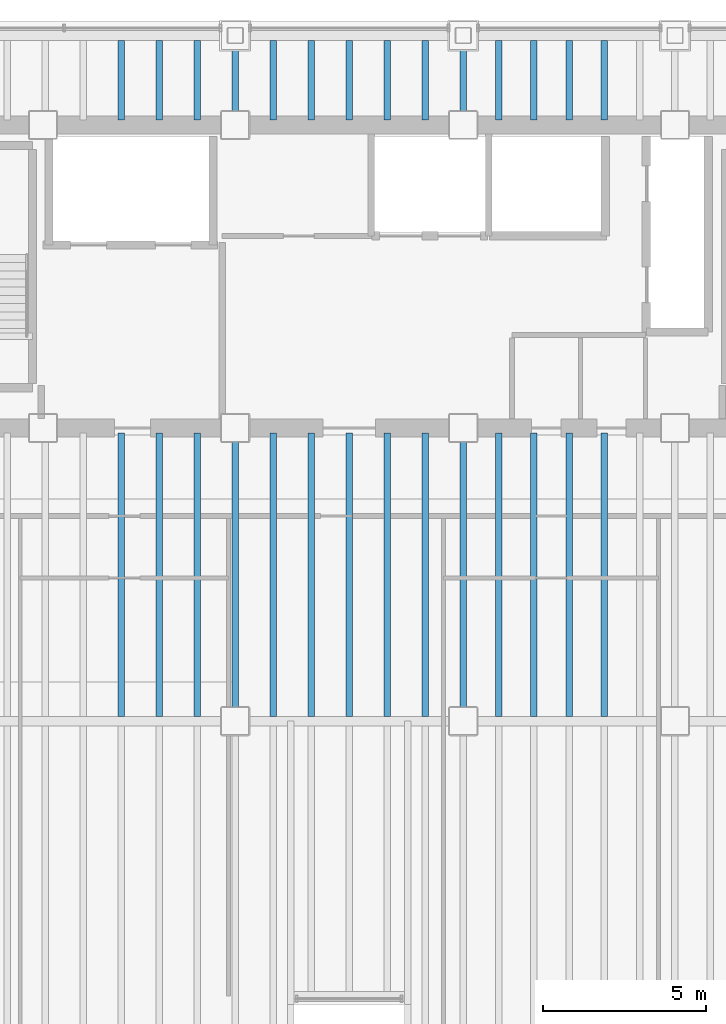
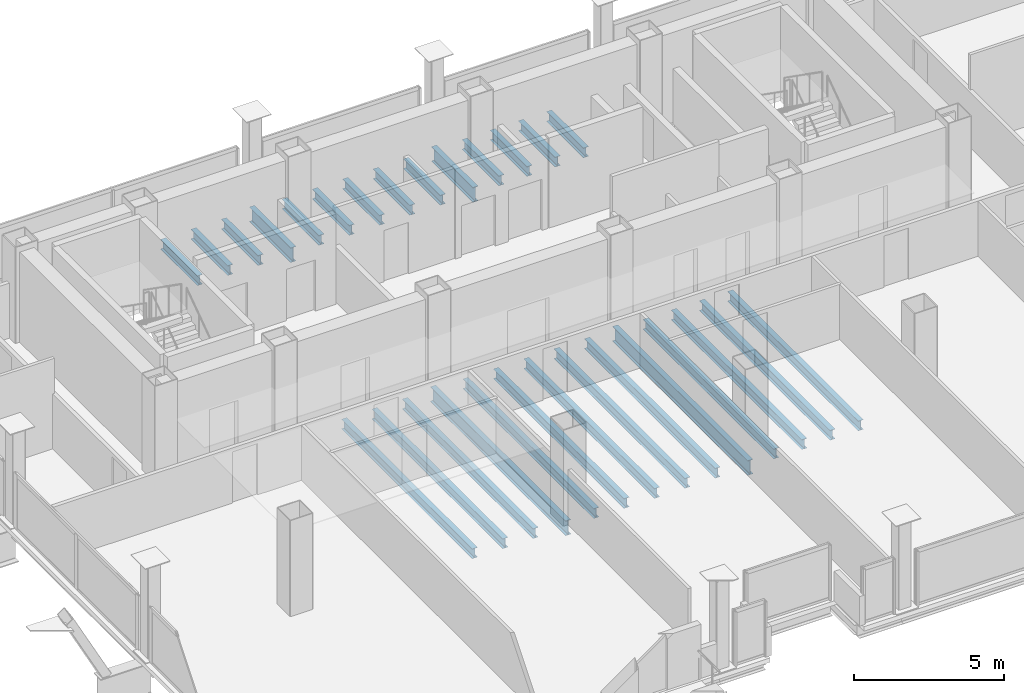
# One storey, part 8 of 21: 28 beams.
"""IFC4 building model written with IfcOpenShell, lengths in metres."""

from ifc_helpers import new_model, si_unit, direction, frame, origin, origin_2d, place, context, subcontext, project, spatial, i_section, extrude, material, material_profile, profile_set, type_object, element, save


model = new_model("IFC4")

# Units and contexts
model_context = context("Model", 3, precision=1e-05, world=origin(), true_north=direction((0.0, 1.0)))
body_context = subcontext(model_context, "Body", "Model", "MODEL_VIEW")
ifc_project = project(units=[si_unit("LENGTHUNIT", "METRE"), si_unit("AREAUNIT", "SQUARE_METRE"), si_unit("VOLUMEUNIT", "CUBIC_METRE"), si_unit("PLANEANGLEUNIT", "RADIAN"), si_unit("MASSUNIT", "GRAM", prefix="KILO")], contexts=[model_context])

# Site, building, storey
site_placement = place(None, origin())
site = spatial("IfcSite", under=ifc_project, at=site_placement, CompositionType="ELEMENT")
building_placement = place(site_placement, origin())
building = spatial("IfcBuilding", under=site, at=building_placement, Name="Noeulbin Bourse Tower", CompositionType="ELEMENT")
storey_placement = place(building_placement, frame((0.0, 0.0, 111.0)))
storey = spatial("IfcBuildingStorey", under=building, at=storey_placement, Name="L27", CompositionType="ELEMENT", Elevation=111.0)

# Beams
ifc_material = material(Name="Steel S355", Category="steel")
ifc_material_profile_1 = material_profile(ifc_material, i_section(OverallWidth=0.199951171875, OverallDepth=0.60009765625, WebThickness=0.010986328125, FlangeThickness=0.01708984375, FilletRadius=0.02197265625, at=origin_2d()), Name="H-600x200x11x17", Category="LoadBearing")
ifc_profile_set_1 = profile_set([ifc_material_profile_1], Name="Steel S355")
beam_type_1 = type_object("IfcBeamType", Name="BM-GRD-600", PredefinedType="USERDEFINED", material=ifc_profile_set_1)
beam_1_placement = place(storey_placement, frame((24.0, 20.0, -0.47998046875), z_axis=(0.0, 1.0, 0.0), x_axis=(-1.0, 0.0, 0.0)))
element("IfcBeam", 1, at=beam_1_placement, inside=storey, type_object=beam_type_1, Name="Tower Primary Girder NS L27-2.2", ObjectType="GIRDER", PredefinedType="USERDEFINED", context=body_context, shape_type="SweptSolid", body=[
    extrude(i_section(OverallWidth=0.199951171875, OverallDepth=0.60009765625, WebThickness=0.010986328125, FlangeThickness=0.01708984375, FilletRadius=0.02197265625, at=origin_2d()), origin(), (0.0, 0.0, 1.0), 9.0),
])
beam_2_placement = place(storey_placement, frame((24.0, 38.300048828125, -0.47998046875), z_axis=(0.0, 1.0, 0.0), x_axis=(-1.0, 0.0, 0.0)))
element("IfcBeam", 2, at=beam_2_placement, inside=storey, type_object=beam_type_1, Name="Tower Primary Girder NS L27-2.4", ObjectType="GIRDER", PredefinedType="USERDEFINED", context=body_context, shape_type="SweptSolid", body=[
    extrude(i_section(OverallWidth=0.199951171875, OverallDepth=0.60009765625, WebThickness=0.010986328125, FlangeThickness=0.01708984375, FilletRadius=0.02197265625, at=origin_2d()), origin(), (0.0, 0.0, 1.0), 2.75),
])
beam_3_placement = place(storey_placement, frame((31.0, 20.0, -0.47998046875), z_axis=(0.0, 1.0, 0.0), x_axis=(-1.0, 0.0, 0.0)))
element("IfcBeam", 3, at=beam_3_placement, inside=storey, type_object=beam_type_1, Name="Tower Primary Girder NS L27-3.2", ObjectType="GIRDER", PredefinedType="USERDEFINED", context=body_context, shape_type="SweptSolid", body=[
    extrude(i_section(OverallWidth=0.199951171875, OverallDepth=0.60009765625, WebThickness=0.010986328125, FlangeThickness=0.01708984375, FilletRadius=0.02197265625, at=origin_2d()), origin(), (0.0, 0.0, 1.0), 9.0),
])
beam_4_placement = place(storey_placement, frame((31.0, 38.300048828125, -0.47998046875), z_axis=(0.0, 1.0, 0.0), x_axis=(-1.0, 0.0, 0.0)))
element("IfcBeam", 4, at=beam_4_placement, inside=storey, type_object=beam_type_1, Name="Tower Primary Girder NS L27-3.4", ObjectType="GIRDER", PredefinedType="USERDEFINED", context=body_context, shape_type="SweptSolid", body=[
    extrude(i_section(OverallWidth=0.199951171875, OverallDepth=0.60009765625, WebThickness=0.010986328125, FlangeThickness=0.01708984375, FilletRadius=0.02197265625, at=origin_2d()), origin(), (0.0, 0.0, 1.0), 2.75),
])
ifc_material_profile_2 = material_profile(ifc_material, i_section(OverallWidth=0.199951171875, OverallDepth=0.39990234375, WebThickness=0.008056640625, FlangeThickness=0.012939453125, FilletRadius=0.01611328125, at=origin_2d()), Name="H-400x200x8x13", Category="LoadBearing")
ifc_profile_set_2 = profile_set([ifc_material_profile_2], Name="Steel S355")
beam_type_2 = type_object("IfcBeamType", Name="BM-SEC-400", PredefinedType="BEAM", material=ifc_profile_set_2)
beam_5_placement = place(storey_placement, frame((20.5, 20.14990234375, -0.3798828125), z_axis=(0.0, 1.0, 0.0), x_axis=(-1.0, 0.0, 0.0)))
element("IfcBeam", 5, at=beam_5_placement, inside=storey, type_object=beam_type_2, Name="Tower Composite Joist L27-17", PredefinedType="BEAM", context=body_context, shape_type="SweptSolid", body=[
    extrude(i_section(OverallWidth=0.199951171875, OverallDepth=0.39990234375, WebThickness=0.008056640625, FlangeThickness=0.012939453125, FilletRadius=0.01611328125, at=origin_2d()), origin(), (0.0, 0.0, 1.0), 8.7001953125),
])
beam_6_placement = place(storey_placement, frame((20.5, 38.449951171875, -0.3798828125), z_axis=(0.0, 1.0, 0.0), x_axis=(-1.0, 0.0, 0.0)))
element("IfcBeam", 6, at=beam_6_placement, inside=storey, type_object=beam_type_2, Name="Tower Composite Joist L27-18", PredefinedType="BEAM", context=body_context, shape_type="SweptSolid", body=[
    extrude(i_section(OverallWidth=0.199951171875, OverallDepth=0.39990234375, WebThickness=0.008056640625, FlangeThickness=0.012939453125, FilletRadius=0.01611328125, at=origin_2d()), origin(), (0.0, 0.0, 1.0), 2.449951171875),
])
beam_7_placement = place(storey_placement, frame((21.666748046875, 20.14990234375, -0.3798828125), z_axis=(0.0, 1.0, 0.0), x_axis=(-1.0, 0.0, 0.0)))
element("IfcBeam", 7, at=beam_7_placement, inside=storey, type_object=beam_type_2, Name="Tower Composite Joist L27-20", PredefinedType="BEAM", context=body_context, shape_type="SweptSolid", body=[
    extrude(i_section(OverallWidth=0.199951171875, OverallDepth=0.39990234375, WebThickness=0.008056640625, FlangeThickness=0.012939453125, FilletRadius=0.01611328125, at=origin_2d()), origin(), (0.0, 0.0, 1.0), 8.7001953125),
])
beam_8_placement = place(storey_placement, frame((21.666748046875, 38.449951171875, -0.3798828125), z_axis=(0.0, 1.0, 0.0), x_axis=(-1.0, 0.0, 0.0)))
element("IfcBeam", 8, at=beam_8_placement, inside=storey, type_object=beam_type_2, Name="Tower Composite Joist L27-21", PredefinedType="BEAM", context=body_context, shape_type="SweptSolid", body=[
    extrude(i_section(OverallWidth=0.199951171875, OverallDepth=0.39990234375, WebThickness=0.008056640625, FlangeThickness=0.012939453125, FilletRadius=0.01611328125, at=origin_2d()), origin(), (0.0, 0.0, 1.0), 2.449951171875),
])
beam_9_placement = place(storey_placement, frame((22.833251953125, 20.14990234375, -0.3798828125), z_axis=(0.0, 1.0, 0.0), x_axis=(-1.0, 0.0, 0.0)))
element("IfcBeam", 9, at=beam_9_placement, inside=storey, type_object=beam_type_2, Name="Tower Composite Joist L27-23", PredefinedType="BEAM", context=body_context, shape_type="SweptSolid", body=[
    extrude(i_section(OverallWidth=0.199951171875, OverallDepth=0.39990234375, WebThickness=0.008056640625, FlangeThickness=0.012939453125, FilletRadius=0.01611328125, at=origin_2d()), origin(), (0.0, 0.0, 1.0), 8.7001953125),
])
beam_10_placement = place(storey_placement, frame((22.833251953125, 38.449951171875, -0.3798828125), z_axis=(0.0, 1.0, 0.0), x_axis=(-1.0, 0.0, 0.0)))
element("IfcBeam", 10, at=beam_10_placement, inside=storey, type_object=beam_type_2, Name="Tower Composite Joist L27-24", PredefinedType="BEAM", context=body_context, shape_type="SweptSolid", body=[
    extrude(i_section(OverallWidth=0.199951171875, OverallDepth=0.39990234375, WebThickness=0.008056640625, FlangeThickness=0.012939453125, FilletRadius=0.01611328125, at=origin_2d()), origin(), (0.0, 0.0, 1.0), 2.449951171875),
])
beam_11_placement = place(storey_placement, frame((25.166748046875, 20.14990234375, -0.3798828125), z_axis=(0.0, 1.0, 0.0), x_axis=(-1.0, 0.0, 0.0)))
element("IfcBeam", 11, at=beam_11_placement, inside=storey, type_object=beam_type_2, Name="Tower Composite Joist L27-26", PredefinedType="BEAM", context=body_context, shape_type="SweptSolid", body=[
    extrude(i_section(OverallWidth=0.199951171875, OverallDepth=0.39990234375, WebThickness=0.008056640625, FlangeThickness=0.012939453125, FilletRadius=0.01611328125, at=origin_2d()), origin(), (0.0, 0.0, 1.0), 8.7001953125),
])
beam_12_placement = place(storey_placement, frame((25.166748046875, 38.449951171875, -0.3798828125), z_axis=(0.0, 1.0, 0.0), x_axis=(-1.0, 0.0, 0.0)))
element("IfcBeam", 12, at=beam_12_placement, inside=storey, type_object=beam_type_2, Name="Tower Composite Joist L27-27", PredefinedType="BEAM", context=body_context, shape_type="SweptSolid", body=[
    extrude(i_section(OverallWidth=0.199951171875, OverallDepth=0.39990234375, WebThickness=0.008056640625, FlangeThickness=0.012939453125, FilletRadius=0.01611328125, at=origin_2d()), origin(), (0.0, 0.0, 1.0), 2.449951171875),
])
beam_13_placement = place(storey_placement, frame((26.333251953125, 20.14990234375, -0.3798828125), z_axis=(0.0, 1.0, 0.0), x_axis=(-1.0, 0.0, 0.0)))
element("IfcBeam", 13, at=beam_13_placement, inside=storey, type_object=beam_type_2, Name="Tower Composite Joist L27-29", PredefinedType="BEAM", context=body_context, shape_type="SweptSolid", body=[
    extrude(i_section(OverallWidth=0.199951171875, OverallDepth=0.39990234375, WebThickness=0.008056640625, FlangeThickness=0.012939453125, FilletRadius=0.01611328125, at=origin_2d()), origin(), (0.0, 0.0, 1.0), 8.7001953125),
])
beam_14_placement = place(storey_placement, frame((26.333251953125, 38.449951171875, -0.3798828125), z_axis=(0.0, 1.0, 0.0), x_axis=(-1.0, 0.0, 0.0)))
element("IfcBeam", 14, at=beam_14_placement, inside=storey, type_object=beam_type_2, Name="Tower Composite Joist L27-30", PredefinedType="BEAM", context=body_context, shape_type="SweptSolid", body=[
    extrude(i_section(OverallWidth=0.199951171875, OverallDepth=0.39990234375, WebThickness=0.008056640625, FlangeThickness=0.012939453125, FilletRadius=0.01611328125, at=origin_2d()), origin(), (0.0, 0.0, 1.0), 2.449951171875),
])
beam_15_placement = place(storey_placement, frame((27.5, 20.14990234375, -0.3798828125), z_axis=(0.0, 1.0, 0.0), x_axis=(-1.0, 0.0, 0.0)))
element("IfcBeam", 15, at=beam_15_placement, inside=storey, type_object=beam_type_2, Name="Tower Composite Joist L27-32", PredefinedType="BEAM", context=body_context, shape_type="SweptSolid", body=[
    extrude(i_section(OverallWidth=0.199951171875, OverallDepth=0.39990234375, WebThickness=0.008056640625, FlangeThickness=0.012939453125, FilletRadius=0.01611328125, at=origin_2d()), origin(), (0.0, 0.0, 1.0), 8.7001953125),
])
beam_16_placement = place(storey_placement, frame((27.5, 38.449951171875, -0.3798828125), z_axis=(0.0, 1.0, 0.0), x_axis=(-1.0, 0.0, 0.0)))
element("IfcBeam", 16, at=beam_16_placement, inside=storey, type_object=beam_type_2, Name="Tower Composite Joist L27-33", PredefinedType="BEAM", context=body_context, shape_type="SweptSolid", body=[
    extrude(i_section(OverallWidth=0.199951171875, OverallDepth=0.39990234375, WebThickness=0.008056640625, FlangeThickness=0.012939453125, FilletRadius=0.01611328125, at=origin_2d()), origin(), (0.0, 0.0, 1.0), 2.449951171875),
])
beam_17_placement = place(storey_placement, frame((28.666748046875, 20.14990234375, -0.3798828125), z_axis=(0.0, 1.0, 0.0), x_axis=(-1.0, 0.0, 0.0)))
element("IfcBeam", 17, at=beam_17_placement, inside=storey, type_object=beam_type_2, Name="Tower Composite Joist L27-35", PredefinedType="BEAM", context=body_context, shape_type="SweptSolid", body=[
    extrude(i_section(OverallWidth=0.199951171875, OverallDepth=0.39990234375, WebThickness=0.008056640625, FlangeThickness=0.012939453125, FilletRadius=0.01611328125, at=origin_2d()), origin(), (0.0, 0.0, 1.0), 8.7001953125),
])
beam_18_placement = place(storey_placement, frame((28.666748046875, 38.449951171875, -0.3798828125), z_axis=(0.0, 1.0, 0.0), x_axis=(-1.0, 0.0, 0.0)))
element("IfcBeam", 18, at=beam_18_placement, inside=storey, type_object=beam_type_2, Name="Tower Composite Joist L27-36", PredefinedType="BEAM", context=body_context, shape_type="SweptSolid", body=[
    extrude(i_section(OverallWidth=0.199951171875, OverallDepth=0.39990234375, WebThickness=0.008056640625, FlangeThickness=0.012939453125, FilletRadius=0.01611328125, at=origin_2d()), origin(), (0.0, 0.0, 1.0), 2.449951171875),
])
beam_19_placement = place(storey_placement, frame((29.833251953125, 20.14990234375, -0.3798828125), z_axis=(0.0, 1.0, 0.0), x_axis=(-1.0, 0.0, 0.0)))
element("IfcBeam", 19, at=beam_19_placement, inside=storey, type_object=beam_type_2, Name="Tower Composite Joist L27-38", PredefinedType="BEAM", context=body_context, shape_type="SweptSolid", body=[
    extrude(i_section(OverallWidth=0.199951171875, OverallDepth=0.39990234375, WebThickness=0.008056640625, FlangeThickness=0.012939453125, FilletRadius=0.01611328125, at=origin_2d()), origin(), (0.0, 0.0, 1.0), 8.7001953125),
])
beam_20_placement = place(storey_placement, frame((29.833251953125, 38.449951171875, -0.3798828125), z_axis=(0.0, 1.0, 0.0), x_axis=(-1.0, 0.0, 0.0)))
element("IfcBeam", 20, at=beam_20_placement, inside=storey, type_object=beam_type_2, Name="Tower Composite Joist L27-39", PredefinedType="BEAM", context=body_context, shape_type="SweptSolid", body=[
    extrude(i_section(OverallWidth=0.199951171875, OverallDepth=0.39990234375, WebThickness=0.008056640625, FlangeThickness=0.012939453125, FilletRadius=0.01611328125, at=origin_2d()), origin(), (0.0, 0.0, 1.0), 2.449951171875),
])
beam_21_placement = place(storey_placement, frame((32.083251953125, 20.14990234375, -0.3798828125), z_axis=(0.0, 1.0, 0.0), x_axis=(-1.0, 0.0, 0.0)))
element("IfcBeam", 21, at=beam_21_placement, inside=storey, type_object=beam_type_2, Name="Tower Composite Joist L27-41", PredefinedType="BEAM", context=body_context, shape_type="SweptSolid", body=[
    extrude(i_section(OverallWidth=0.199951171875, OverallDepth=0.39990234375, WebThickness=0.008056640625, FlangeThickness=0.012939453125, FilletRadius=0.01611328125, at=origin_2d()), origin(), (0.0, 0.0, 1.0), 8.7001953125),
])
beam_22_placement = place(storey_placement, frame((32.083251953125, 38.449951171875, -0.3798828125), z_axis=(0.0, 1.0, 0.0), x_axis=(-1.0, 0.0, 0.0)))
element("IfcBeam", 22, at=beam_22_placement, inside=storey, type_object=beam_type_2, Name="Tower Composite Joist L27-42", PredefinedType="BEAM", context=body_context, shape_type="SweptSolid", body=[
    extrude(i_section(OverallWidth=0.199951171875, OverallDepth=0.39990234375, WebThickness=0.008056640625, FlangeThickness=0.012939453125, FilletRadius=0.01611328125, at=origin_2d()), origin(), (0.0, 0.0, 1.0), 2.449951171875),
])
beam_23_placement = place(storey_placement, frame((33.166748046875, 20.14990234375, -0.3798828125), z_axis=(0.0, 1.0, 0.0), x_axis=(-1.0, 0.0, 0.0)))
element("IfcBeam", 23, at=beam_23_placement, inside=storey, type_object=beam_type_2, Name="Tower Composite Joist L27-44", PredefinedType="BEAM", context=body_context, shape_type="SweptSolid", body=[
    extrude(i_section(OverallWidth=0.199951171875, OverallDepth=0.39990234375, WebThickness=0.008056640625, FlangeThickness=0.012939453125, FilletRadius=0.01611328125, at=origin_2d()), origin(), (0.0, 0.0, 1.0), 8.7001953125),
])
beam_24_placement = place(storey_placement, frame((33.166748046875, 38.449951171875, -0.3798828125), z_axis=(0.0, 1.0, 0.0), x_axis=(-1.0, 0.0, 0.0)))
element("IfcBeam", 24, at=beam_24_placement, inside=storey, type_object=beam_type_2, Name="Tower Composite Joist L27-45", PredefinedType="BEAM", context=body_context, shape_type="SweptSolid", body=[
    extrude(i_section(OverallWidth=0.199951171875, OverallDepth=0.39990234375, WebThickness=0.008056640625, FlangeThickness=0.012939453125, FilletRadius=0.01611328125, at=origin_2d()), origin(), (0.0, 0.0, 1.0), 2.449951171875),
])
beam_25_placement = place(storey_placement, frame((34.25, 20.14990234375, -0.3798828125), z_axis=(0.0, 1.0, 0.0), x_axis=(-1.0, 0.0, 0.0)))
element("IfcBeam", 25, at=beam_25_placement, inside=storey, type_object=beam_type_2, Name="Tower Composite Joist L27-47", PredefinedType="BEAM", context=body_context, shape_type="SweptSolid", body=[
    extrude(i_section(OverallWidth=0.199951171875, OverallDepth=0.39990234375, WebThickness=0.008056640625, FlangeThickness=0.012939453125, FilletRadius=0.01611328125, at=origin_2d()), origin(), (0.0, 0.0, 1.0), 8.7001953125),
])
beam_26_placement = place(storey_placement, frame((34.25, 38.449951171875, -0.3798828125), z_axis=(0.0, 1.0, 0.0), x_axis=(-1.0, 0.0, 0.0)))
element("IfcBeam", 26, at=beam_26_placement, inside=storey, type_object=beam_type_2, Name="Tower Composite Joist L27-48", PredefinedType="BEAM", context=body_context, shape_type="SweptSolid", body=[
    extrude(i_section(OverallWidth=0.199951171875, OverallDepth=0.39990234375, WebThickness=0.008056640625, FlangeThickness=0.012939453125, FilletRadius=0.01611328125, at=origin_2d()), origin(), (0.0, 0.0, 1.0), 2.449951171875),
])
beam_27_placement = place(storey_placement, frame((35.333251953125, 20.14990234375, -0.3798828125), z_axis=(0.0, 1.0, 0.0), x_axis=(-1.0, 0.0, 0.0)))
element("IfcBeam", 27, at=beam_27_placement, inside=storey, type_object=beam_type_2, Name="Tower Composite Joist L27-50", PredefinedType="BEAM", context=body_context, shape_type="SweptSolid", body=[
    extrude(i_section(OverallWidth=0.199951171875, OverallDepth=0.39990234375, WebThickness=0.008056640625, FlangeThickness=0.012939453125, FilletRadius=0.01611328125, at=origin_2d()), origin(), (0.0, 0.0, 1.0), 8.7001953125),
])
beam_28_placement = place(storey_placement, frame((35.333251953125, 38.449951171875, -0.3798828125), z_axis=(0.0, 1.0, 0.0), x_axis=(-1.0, 0.0, 0.0)))
element("IfcBeam", 28, at=beam_28_placement, inside=storey, type_object=beam_type_2, Name="Tower Composite Joist L27-51", PredefinedType="BEAM", context=body_context, shape_type="SweptSolid", body=[
    extrude(i_section(OverallWidth=0.199951171875, OverallDepth=0.39990234375, WebThickness=0.008056640625, FlangeThickness=0.012939453125, FilletRadius=0.01611328125, at=origin_2d()), origin(), (0.0, 0.0, 1.0), 2.449951171875),
])

save(model, "model.ifc")
